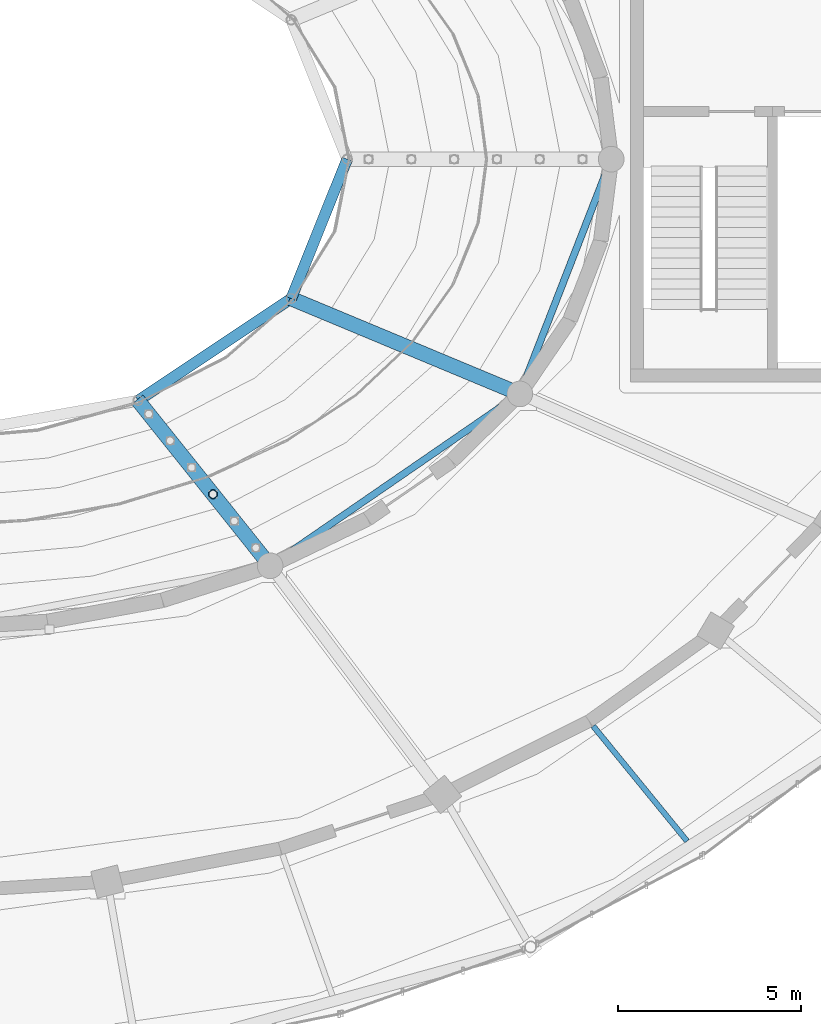
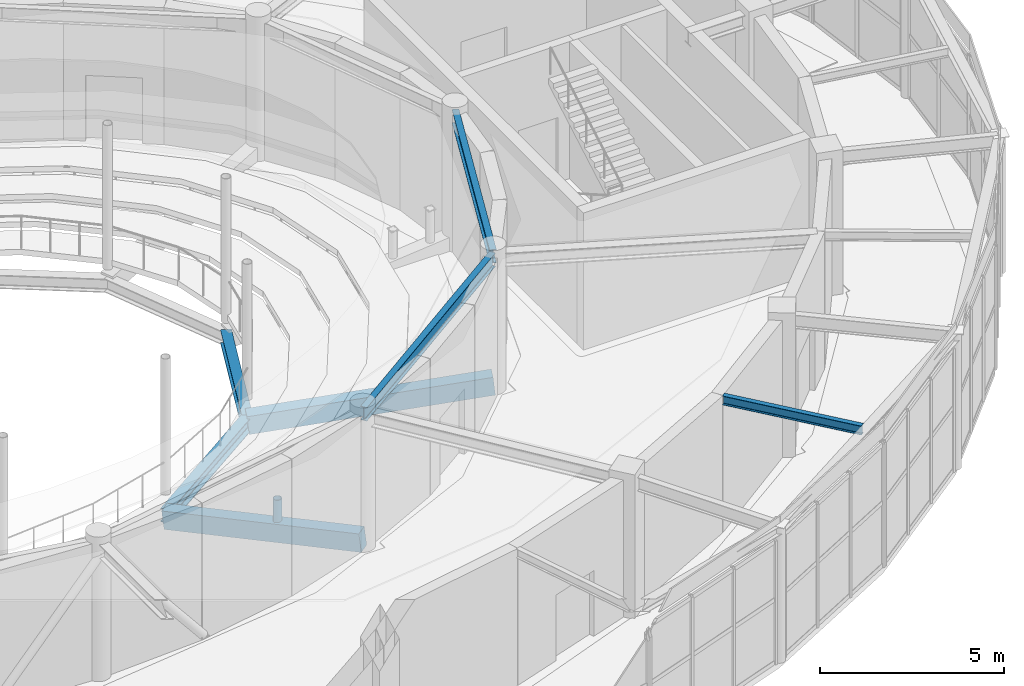
# One storey, part 43 of 108: 7 beams, 1 member.
"""IFC4 building model written with IfcOpenShell, lengths in metres."""

from ifc_helpers import new_model, si_unit, direction, frame, origin, origin_2d, place, context, subcontext, project, spatial, rectangle, hollow_circle, i_section, extrude, material, material_profile, profile_set, type_object, element, save


model = new_model("IFC4")

# Units and contexts
model_context = context("Model", 3, precision=1e-05, world=origin(), true_north=direction((0.0, 1.0)))
body_context = subcontext(model_context, "Body", "Model", "MODEL_VIEW")
ifc_project = project(units=[si_unit("LENGTHUNIT", "METRE"), si_unit("AREAUNIT", "SQUARE_METRE"), si_unit("VOLUMEUNIT", "CUBIC_METRE"), si_unit("PLANEANGLEUNIT", "RADIAN"), si_unit("MASSUNIT", "GRAM", prefix="KILO")], contexts=[model_context])

# Site, building, storey
site_placement = place(None, origin())
site = spatial("IfcSite", under=ifc_project, at=site_placement, CompositionType="ELEMENT")
building_placement = place(site_placement, origin())
building = spatial("IfcBuilding", under=site, at=building_placement, Name="Tarnveldt Headland Concert Hall", CompositionType="ELEMENT")
storey_placement = place(building_placement, frame((0.0, 0.0, 9.60009765625)))
storey = spatial("IfcBuildingStorey", under=building, at=storey_placement, Name="L02", CompositionType="ELEMENT", Elevation=9.60009765625)

# Beams
ifc_material_1 = material(Name="Concrete C40/50", Category="concrete")
ifc_material_profile_1 = material_profile(ifc_material_1, rectangle(XDim=0.39990234375, YDim=0.60009765625, at=origin_2d()), Name="RAKER RC 400x600", Category="concrete")
ifc_profile_set_1 = profile_set([ifc_material_profile_1], Name="Concrete C40/50")
beam_type_1 = type_object("IfcBeamType", Name="RK-400x600", PredefinedType="BEAM", material=ifc_profile_set_1)
beam_1_placement = place(storey_placement, frame((92.800048828125, 43.414794921875, 0.18994140625), z_axis=(-0.619798723742, 0.775315831965, -0.121387407715), x_axis=(-0.781091844356, -0.624416151842, 0.0)))
element("IfcBeam", 1, at=beam_1_placement, inside=storey, type_object=beam_type_1, Name="Stand RAKER beam L02-11", PredefinedType="BEAM", context=body_context, shape_type="SweptSolid", body=[
    extrude(rectangle(XDim=0.39990234375, YDim=0.60009765625, at=origin_2d()), origin(), (0.0, 0.0, 1.0), 5.80859375),
])
beam_2_placement = place(storey_placement, frame((99.608154296875, 48.10009765625, 0.18994140625), z_axis=(-0.917996568465, 0.382762155739, -0.103804780334), x_axis=(-0.384841186622, -0.922982806492, 0.0)))
element("IfcBeam", 2, at=beam_2_placement, inside=storey, type_object=beam_type_1, Name="Stand RAKER beam L02-12", PredefinedType="BEAM", context=body_context, shape_type="SweptSolid", body=[
    extrude(rectangle(XDim=0.39990234375, YDim=0.60009765625, at=origin_2d()), origin(), (0.0, 0.0, 1.0), 6.792236328125),
])
ifc_material_2 = material(Name="Steel S355", Category="steel")
ifc_material_profile_2 = material_profile(ifc_material_2, i_section(OverallWidth=0.300048828125, OverallDepth=0.449951171875, WebThickness=0.013916015625, FlangeThickness=0.02587890625, FilletRadius=0.027099609375, at=origin_2d()), Name="HEB450", Category="steel")
ifc_profile_set_2 = profile_set([ifc_material_profile_2], Name="Steel S355")
beam_type_2 = type_object("IfcBeamType", Name="SB-HEB450", PredefinedType="BEAM", material=ifc_profile_set_2)
beam_3_placement = place(storey_placement, frame((89.199951171875, 47.918212890625, -0.51513671875), z_axis=(0.832065272977, 0.554677727609, 0.0), x_axis=(-0.554677727609, 0.832065272977, 0.0)))
element("IfcBeam", 3, at=beam_3_placement, inside=storey, type_object=beam_type_2, Name="RAKER header beam L02-11", PredefinedType="BEAM", context=body_context, shape_type="SweptSolid", body=[
    extrude(i_section(OverallWidth=0.300048828125, OverallDepth=0.449951171875, WebThickness=0.013916015625, FlangeThickness=0.02587890625, FilletRadius=0.027099609375, at=origin_2d()), origin(), (0.0, 0.0, 1.0), 5.01513671875),
])
beam_4_placement = place(storey_placement, frame((93.372802734375, 50.699951171875, -0.51513671875), z_axis=(0.372880527765, 0.927879362856, 0.0), x_axis=(-0.927879362856, 0.372880527765, 0.0)))
element("IfcBeam", 4, at=beam_4_placement, inside=storey, type_object=beam_type_2, Name="RAKER header beam L02-12", PredefinedType="BEAM", context=body_context, shape_type="SweptSolid", body=[
    extrude(i_section(OverallWidth=0.300048828125, OverallDepth=0.449951171875, WebThickness=0.013916015625, FlangeThickness=0.02587890625, FilletRadius=0.027099609375, at=origin_2d()), origin(), (0.0, 0.0, 1.0), 4.095458984375),
])
ifc_material_profile_3 = material_profile(ifc_material_2, i_section(OverallWidth=0.14990234375, OverallDepth=0.300048828125, WebThickness=0.007080078125, FlangeThickness=0.0107421875, FilletRadius=0.014892578125, at=origin_2d()), Name="IPE300", Category="steel")
ifc_profile_set_3 = profile_set([ifc_material_profile_3], Name="Steel S355")
beam_type_3 = type_object("IfcBeamType", Name="SB-IPE300", PredefinedType="JOIST", material=ifc_profile_set_3)
beam_5_placement = place(storey_placement, frame((101.608642578125, 39.04345703125, 4.419921875), z_axis=(0.63225535632, -0.774760068928, 0.0), x_axis=(0.774760068928, 0.63225535632, 0.0)))
element("IfcBeam", 5, at=beam_5_placement, inside=storey, type_object=beam_type_3, Name="Framing beam L02-1042", PredefinedType="JOIST", context=body_context, shape_type="SweptSolid", body=[
    extrude(i_section(OverallWidth=0.14990234375, OverallDepth=0.300048828125, WebThickness=0.007080078125, FlangeThickness=0.0107421875, FilletRadius=0.014892578125, at=origin_2d()), origin(), (0.0, 0.0, 1.0), 4.04833984375),
])
ifc_material_profile_4 = material_profile(ifc_material_2, i_section(OverallWidth=0.18994140625, OverallDepth=0.449951171875, WebThickness=0.009521484375, FlangeThickness=0.0146484375, FilletRadius=0.02099609375, at=origin_2d()), Name="IPE450", Category="steel")
ifc_profile_set_4 = profile_set([ifc_material_profile_4], Name="Steel S355")
beam_type_4 = type_object("IfcBeamType", Name="SB-IPE450", PredefinedType="BEAM", material=ifc_profile_set_4)
beam_6_placement = place(storey_placement, frame((92.849365234375, 43.448974609375, 4.324951171875), z_axis=(0.823792567818, 0.566891352207, 0.0), x_axis=(-0.566891352207, 0.823792567818, 0.0)))
element("IfcBeam", 6, at=beam_6_placement, inside=storey, type_object=beam_type_4, Name="Framing beam L02-1070", PredefinedType="BEAM", context=body_context, shape_type="SweptSolid", body=[
    extrude(i_section(OverallWidth=0.18994140625, OverallDepth=0.449951171875, WebThickness=0.009521484375, FlangeThickness=0.0146484375, FilletRadius=0.02099609375, at=origin_2d()), origin(), (0.0, 0.0, 1.0), 8.144287109375),
])
beam_7_placement = place(storey_placement, frame((99.6298828125, 48.156005859375, 4.324951171875), z_axis=(0.362816377746, 0.931860652694, 0.0), x_axis=(-0.931860652694, 0.362816377746, 0.0)))
element("IfcBeam", 7, at=beam_7_placement, inside=storey, type_object=beam_type_4, Name="Framing beam L02-1072", PredefinedType="BEAM", context=body_context, shape_type="SweptSolid", body=[
    extrude(i_section(OverallWidth=0.18994140625, OverallDepth=0.449951171875, WebThickness=0.009521484375, FlangeThickness=0.0146484375, FilletRadius=0.02099609375, at=origin_2d()), origin(), (0.0, 0.0, 1.0), 6.747802734375),
])

# Member
ifc_material_profile_5 = material_profile(ifc_material_2, hollow_circle(Radius=0.122314453125, WallThickness=0.01611328125, at=origin_2d()), Name="CHS 244.5x16", Category="steel")
ifc_profile_set_5 = profile_set([ifc_material_profile_5], Name="Steel S355")
member_type = type_object("IfcMemberType", Name="TR-CHORD244", PredefinedType="POST", material=ifc_profile_set_5)
member_placement = place(storey_placement, frame((91.24169921875, 45.3642578125, -0.115234375), z_axis=(0.0, 0.0, 1.0), x_axis=(1.0, 0.0, 0.0)))
element("IfcMember", 8, at=member_placement, inside=storey, type_object=member_type, Name="Vineyard tier raker stool post L02-4-11", PredefinedType="POST", context=body_context, shape_type="SweptSolid", body=[
    extrude(hollow_circle(Radius=0.122314453125, WallThickness=0.01611328125, at=origin_2d()), origin(), (0.0, 0.0, 1.0), 1.045166015625),
])

save(model, "model.ifc")
